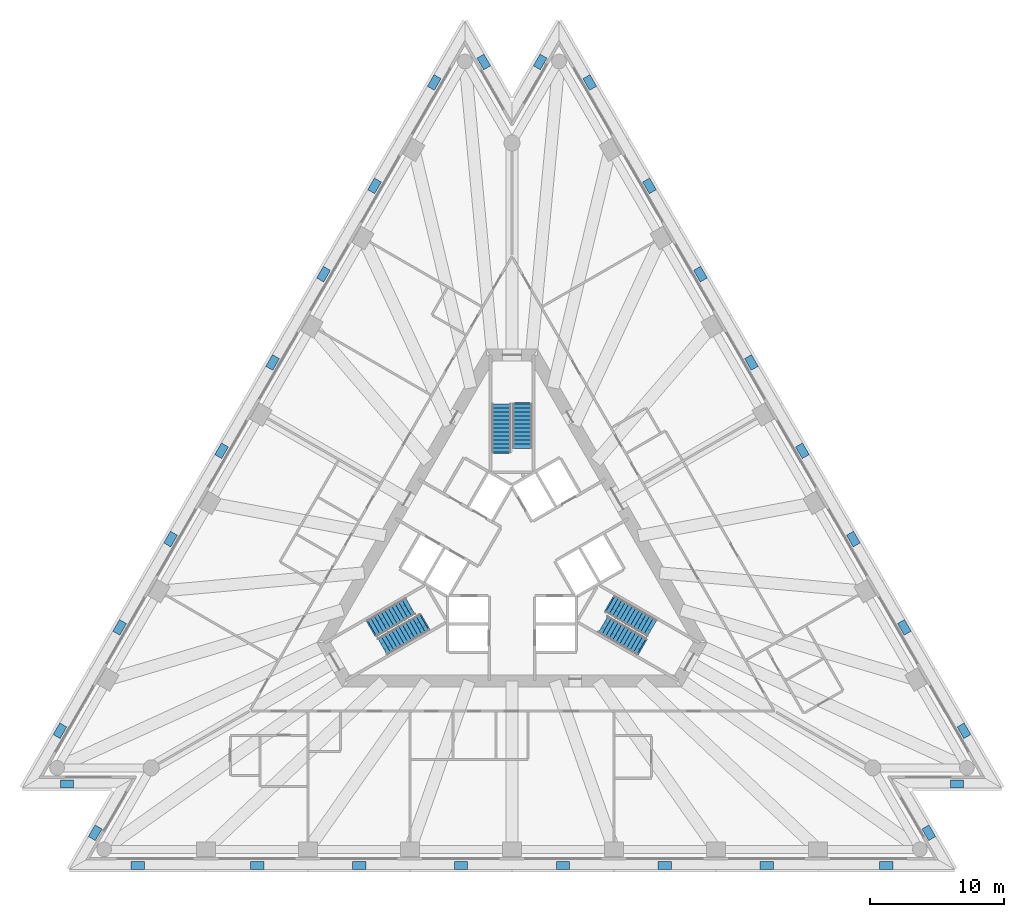
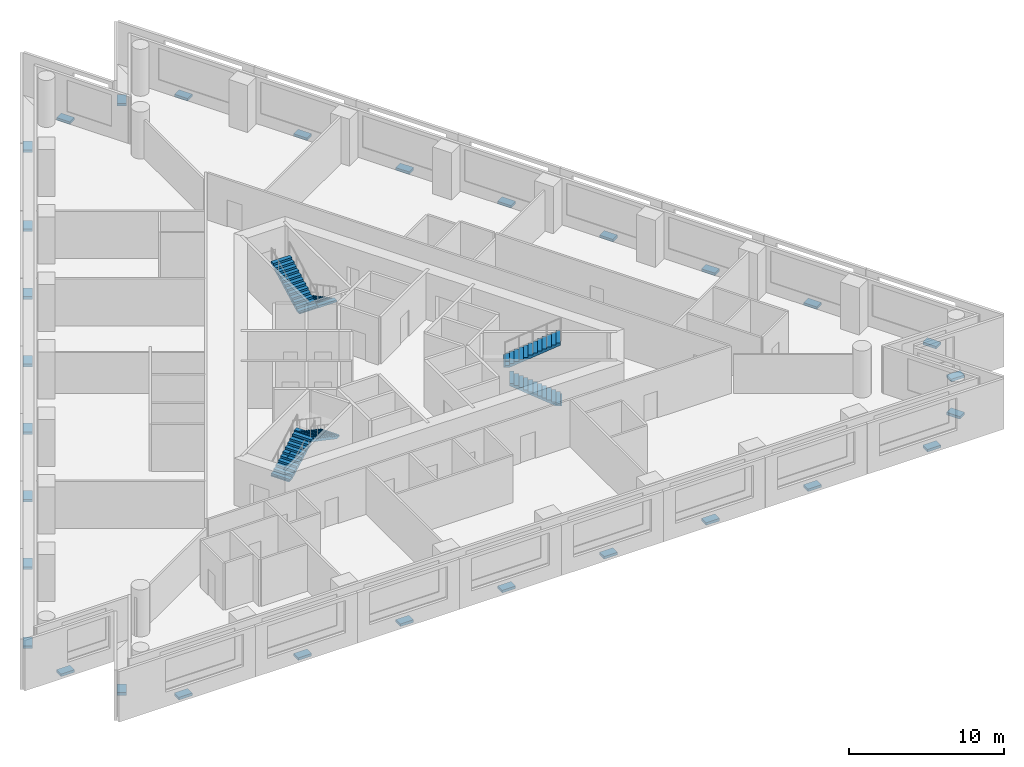
# One storey, part 9 of 11: 30 discrete accessories, 6 stair flights, 3 elements without a shape of their own.
"""IFC4 building model written with IfcOpenShell, lengths in metres."""

from ifc_helpers import new_model, si_unit, direction, frame, origin, origin_2d, place, context, subcontext, project, spatial, polyline, rectangle, outline, extrude, material, type_object, element, aggregate, save


model = new_model("IFC4")

# Units and contexts
model_context = context("Model", 3, precision=1e-05, world=origin(), true_north=direction((0.0, 1.0)))
body_context = subcontext(model_context, "Body", "Model", "MODEL_VIEW")
ifc_project = project(units=[si_unit("LENGTHUNIT", "METRE"), si_unit("AREAUNIT", "SQUARE_METRE"), si_unit("VOLUMEUNIT", "CUBIC_METRE"), si_unit("PLANEANGLEUNIT", "RADIAN"), si_unit("MASSUNIT", "GRAM", prefix="KILO")], contexts=[model_context])

# Site, building, storey
site_placement = place(None, origin())
site = spatial("IfcSite", under=ifc_project, at=site_placement, CompositionType="ELEMENT")
building_placement = place(site_placement, origin())
building = spatial("IfcBuilding", under=site, at=building_placement, Name="Triada Interchange Tower", CompositionType="ELEMENT")
storey_placement = place(building_placement, frame((0.0, 0.0, 43.300048828125)))
storey = spatial("IfcBuildingStorey", under=building, at=storey_placement, Name="L08", CompositionType="ELEMENT", Elevation=43.300048828125)

# Stair, stair flights
ifc_material_1 = material(Name="Concrete C35/45", Category="concrete")
stair_type = type_object("IfcStairType", Name="HALF TURN STAIR 1400", PredefinedType="HALF_TURN_STAIR", material=ifc_material_1)
stair_1_placement = place(storey_placement, origin())
stair_1 = element("IfcStair", 1, at=stair_1_placement, inside=storey, type_object=stair_type, Name="Exit stair S06-1", PredefinedType="HALF_TURN_STAIR")
stair_flight_type = type_object("IfcStairFlightType", Name="STRAIGHT STAIR FLIGHT 1400", PredefinedType="STRAIGHT", material=ifc_material_1)
stair_flight_1_placement = place(storey_placement, frame((0.800048828125, 11.60009765625, 0.0), z_axis=(0.0, 0.0, 1.0), x_axis=(0.0, -1.0, 0.0)))
stair_flight_1 = element("IfcStairFlight", 2, at=stair_flight_1_placement, type_object=stair_flight_type, Name="S06-1 flight 1", NumberOfRisers=12, NumberOfTreads=11, PredefinedType="STRAIGHT", RiserHeight=0.16, TreadLength=0.3, context=body_context, shape_type="SweptSolid", body=[
    extrude(outline(polyline([(-0.10009765625, 0.0), (-0.10009765625, 0.02001953125), (0.0, 0.02001953125), (0.0, 0.159912109375), (0.300048828125, 0.159912109375), (0.300048828125, 0.320068359375), (0.60009765625, 0.320068359375), (0.60009765625, 0.47998046875), (0.89990234375, 0.47998046875), (0.89990234375, 0.639892578125), (1.199951171875, 0.639892578125), (1.199951171875, 0.800048828125), (1.5, 0.800048828125), (1.5, 0.9599609375), (1.800048828125, 0.9599609375), (1.800048828125, 1.1201171875), (2.10009765625, 1.1201171875), (2.10009765625, 1.280029296875), (2.39990234375, 1.280029296875), (2.39990234375, 1.43994140625), (2.699951171875, 1.43994140625), (2.699951171875, 1.60009765625), (3.0, 1.60009765625), (3.0, 1.760009765625), (3.300048828125, 1.760009765625), (3.303955078125, 1.760009765625), (3.303955078125, 1.919921875), (3.303955078125, 1.590087890625), (0.318603515625, 0.0), (-0.10009765625, 0.0)])), frame((0.0, 0.699951171875, 0.0), z_axis=(0.0, -1.0, 0.0), x_axis=(1.0, 0.0, 0.0)), (0.0, 0.0, 1.0), 0.46533203125),
    extrude(outline(polyline([(-0.10009765625, 0.0), (-0.10009765625, 0.02001953125), (0.0, 0.02001953125), (0.0, 0.159912109375), (0.300048828125, 0.159912109375), (0.300048828125, 0.320068359375), (0.60009765625, 0.320068359375), (0.60009765625, 0.47998046875), (0.89990234375, 0.47998046875), (0.89990234375, 0.639892578125), (1.199951171875, 0.639892578125), (1.199951171875, 0.800048828125), (1.5, 0.800048828125), (1.5, 0.9599609375), (1.800048828125, 0.9599609375), (1.800048828125, 1.1201171875), (2.10009765625, 1.1201171875), (2.10009765625, 1.280029296875), (2.39990234375, 1.280029296875), (2.39990234375, 1.43994140625), (2.699951171875, 1.43994140625), (2.699951171875, 1.60009765625), (3.0, 1.60009765625), (3.0, 1.760009765625), (3.300048828125, 1.760009765625), (3.303955078125, 1.760009765625), (3.303955078125, 1.919921875), (3.303955078125, 1.590087890625), (0.318603515625, 0.0), (-0.10009765625, 0.0)])), frame((0.0, 0.232666015625, 0.0), z_axis=(0.0, -1.0, 0.0), x_axis=(1.0, 0.0, 0.0)), (0.0, 0.0, 1.0), 0.46533203125),
    extrude(outline(polyline([(-0.10009765625, 0.0), (-0.10009765625, 0.02001953125), (0.0, 0.02001953125), (0.0, 0.159912109375), (0.300048828125, 0.159912109375), (0.300048828125, 0.320068359375), (0.60009765625, 0.320068359375), (0.60009765625, 0.47998046875), (0.89990234375, 0.47998046875), (0.89990234375, 0.639892578125), (1.199951171875, 0.639892578125), (1.199951171875, 0.800048828125), (1.5, 0.800048828125), (1.5, 0.9599609375), (1.800048828125, 0.9599609375), (1.800048828125, 1.1201171875), (2.10009765625, 1.1201171875), (2.10009765625, 1.280029296875), (2.39990234375, 1.280029296875), (2.39990234375, 1.43994140625), (2.699951171875, 1.43994140625), (2.699951171875, 1.60009765625), (3.0, 1.60009765625), (3.0, 1.760009765625), (3.300048828125, 1.760009765625), (3.303955078125, 1.760009765625), (3.303955078125, 1.919921875), (3.303955078125, 1.590087890625), (0.318603515625, 0.0), (-0.10009765625, 0.0)])), frame((0.0, -0.234619140625, 0.0), z_axis=(0.0, -1.0, 0.0), x_axis=(1.0, 0.0, 0.0)), (0.0, 0.0, 1.0), 0.46533203125),
])
stair_flight_2_placement = place(storey_placement, frame((-0.800048828125, 8.0, 1.919921875), z_axis=(0.0, 0.0, 1.0), x_axis=(0.0, 1.0, 0.0)))
stair_flight_2 = element("IfcStairFlight", 3, at=stair_flight_2_placement, type_object=stair_flight_type, Name="S06-1 flight 2", NumberOfRisers=13, NumberOfTreads=12, PredefinedType="STRAIGHT", RiserHeight=0.16, TreadLength=0.3, context=body_context, shape_type="SweptSolid", body=[
    extrude(outline(polyline([(-0.10009765625, 0.0), (-0.10009765625, 0.02001953125), (0.0, 0.02001953125), (0.0, 0.159912109375), (0.300048828125, 0.159912109375), (0.300048828125, 0.320068359375), (0.60009765625, 0.320068359375), (0.60009765625, 0.47998046875), (0.89990234375, 0.47998046875), (0.89990234375, 0.639892578125), (1.199951171875, 0.639892578125), (1.199951171875, 0.800048828125), (1.5, 0.800048828125), (1.5, 0.9599609375), (1.800048828125, 0.9599609375), (1.800048828125, 1.1201171875), (2.10009765625, 1.1201171875), (2.10009765625, 1.280029296875), (2.39990234375, 1.280029296875), (2.39990234375, 1.43994140625), (2.699951171875, 1.43994140625), (2.699951171875, 1.60009765625), (3.0, 1.60009765625), (3.0, 1.760009765625), (3.300048828125, 1.760009765625), (3.300048828125, 1.919921875), (3.60009765625, 1.919921875), (3.60400390625, 1.919921875), (3.60400390625, 2.080078125), (3.60400390625, 1.75), (0.318603515625, 0.0), (-0.10009765625, 0.0)])), frame((0.0, 0.699951171875, 0.0), z_axis=(0.0, -1.0, 0.0), x_axis=(1.0, 0.0, 0.0)), (0.0, 0.0, 1.0), 0.46533203125),
    extrude(outline(polyline([(-0.10009765625, 0.0), (-0.10009765625, 0.02001953125), (0.0, 0.02001953125), (0.0, 0.159912109375), (0.300048828125, 0.159912109375), (0.300048828125, 0.320068359375), (0.60009765625, 0.320068359375), (0.60009765625, 0.47998046875), (0.89990234375, 0.47998046875), (0.89990234375, 0.639892578125), (1.199951171875, 0.639892578125), (1.199951171875, 0.800048828125), (1.5, 0.800048828125), (1.5, 0.9599609375), (1.800048828125, 0.9599609375), (1.800048828125, 1.1201171875), (2.10009765625, 1.1201171875), (2.10009765625, 1.280029296875), (2.39990234375, 1.280029296875), (2.39990234375, 1.43994140625), (2.699951171875, 1.43994140625), (2.699951171875, 1.60009765625), (3.0, 1.60009765625), (3.0, 1.760009765625), (3.300048828125, 1.760009765625), (3.300048828125, 1.919921875), (3.60009765625, 1.919921875), (3.60400390625, 1.919921875), (3.60400390625, 2.080078125), (3.60400390625, 1.75), (0.318603515625, 0.0), (-0.10009765625, 0.0)])), frame((0.0, 0.232666015625, 0.0), z_axis=(0.0, -1.0, 0.0), x_axis=(1.0, 0.0, 0.0)), (0.0, 0.0, 1.0), 0.46533203125),
    extrude(outline(polyline([(-0.10009765625, 0.0), (-0.10009765625, 0.02001953125), (0.0, 0.02001953125), (0.0, 0.159912109375), (0.300048828125, 0.159912109375), (0.300048828125, 0.320068359375), (0.60009765625, 0.320068359375), (0.60009765625, 0.47998046875), (0.89990234375, 0.47998046875), (0.89990234375, 0.639892578125), (1.199951171875, 0.639892578125), (1.199951171875, 0.800048828125), (1.5, 0.800048828125), (1.5, 0.9599609375), (1.800048828125, 0.9599609375), (1.800048828125, 1.1201171875), (2.10009765625, 1.1201171875), (2.10009765625, 1.280029296875), (2.39990234375, 1.280029296875), (2.39990234375, 1.43994140625), (2.699951171875, 1.43994140625), (2.699951171875, 1.60009765625), (3.0, 1.60009765625), (3.0, 1.760009765625), (3.300048828125, 1.760009765625), (3.300048828125, 1.919921875), (3.60009765625, 1.919921875), (3.60400390625, 1.919921875), (3.60400390625, 2.080078125), (3.60400390625, 1.75), (0.318603515625, 0.0), (-0.10009765625, 0.0)])), frame((0.0, -0.234619140625, 0.0), z_axis=(0.0, -1.0, 0.0), x_axis=(1.0, 0.0, 0.0)), (0.0, 0.0, 1.0), 0.46533203125),
])
aggregate(stair_1, [stair_flight_1, stair_flight_2])

stair_2_placement = place(storey_placement, origin())
stair_2 = element("IfcStair", 4, at=stair_2_placement, inside=storey, type_object=stair_type, Name="Exit stair S06-2", PredefinedType="HALF_TURN_STAIR")
stair_flight_3_placement = place(storey_placement, frame((-10.446044921875, -5.10693359375, 0.0), z_axis=(0.0, 0.0, 1.0), x_axis=(0.866025403784, 0.5, 0.0)))
stair_flight_3 = element("IfcStairFlight", 5, at=stair_flight_3_placement, type_object=stair_flight_type, Name="S06-2 flight 1", NumberOfRisers=12, NumberOfTreads=11, PredefinedType="STRAIGHT", RiserHeight=0.16, TreadLength=0.3, context=body_context, shape_type="SweptSolid", body=[
    extrude(outline(polyline([(-0.10009765625, 0.0), (-0.10009765625, 0.02001953125), (0.0, 0.02001953125), (0.0, 0.159912109375), (0.300048828125, 0.159912109375), (0.300048828125, 0.320068359375), (0.60009765625, 0.320068359375), (0.60009765625, 0.47998046875), (0.89990234375, 0.47998046875), (0.89990234375, 0.639892578125), (1.199951171875, 0.639892578125), (1.199951171875, 0.800048828125), (1.5, 0.800048828125), (1.5, 0.9599609375), (1.800048828125, 0.9599609375), (1.800048828125, 1.1201171875), (2.10009765625, 1.1201171875), (2.10009765625, 1.280029296875), (2.39990234375, 1.280029296875), (2.39990234375, 1.43994140625), (2.699951171875, 1.43994140625), (2.699951171875, 1.60009765625), (3.0, 1.60009765625), (3.0, 1.760009765625), (3.300048828125, 1.760009765625), (3.303955078125, 1.760009765625), (3.303955078125, 1.919921875), (3.303955078125, 1.590087890625), (0.318603515625, 0.0), (-0.10009765625, 0.0)])), frame((0.0, 0.699951171875, 0.0), z_axis=(0.0, -1.0, 0.0), x_axis=(1.0, 0.0, 0.0)), (0.0, 0.0, 1.0), 0.46533203125),
    extrude(outline(polyline([(-0.10009765625, 0.0), (-0.10009765625, 0.02001953125), (0.0, 0.02001953125), (0.0, 0.159912109375), (0.300048828125, 0.159912109375), (0.300048828125, 0.320068359375), (0.60009765625, 0.320068359375), (0.60009765625, 0.47998046875), (0.89990234375, 0.47998046875), (0.89990234375, 0.639892578125), (1.199951171875, 0.639892578125), (1.199951171875, 0.800048828125), (1.5, 0.800048828125), (1.5, 0.9599609375), (1.800048828125, 0.9599609375), (1.800048828125, 1.1201171875), (2.10009765625, 1.1201171875), (2.10009765625, 1.280029296875), (2.39990234375, 1.280029296875), (2.39990234375, 1.43994140625), (2.699951171875, 1.43994140625), (2.699951171875, 1.60009765625), (3.0, 1.60009765625), (3.0, 1.760009765625), (3.300048828125, 1.760009765625), (3.303955078125, 1.760009765625), (3.303955078125, 1.919921875), (3.303955078125, 1.590087890625), (0.318603515625, 0.0), (-0.10009765625, 0.0)])), frame((0.0, 0.232666015625, 0.0), z_axis=(0.0, -1.0, 0.0), x_axis=(1.0, 0.0, 0.0)), (0.0, 0.0, 1.0), 0.46533203125),
    extrude(outline(polyline([(-0.10009765625, 0.0), (-0.10009765625, 0.02001953125), (0.0, 0.02001953125), (0.0, 0.159912109375), (0.300048828125, 0.159912109375), (0.300048828125, 0.320068359375), (0.60009765625, 0.320068359375), (0.60009765625, 0.47998046875), (0.89990234375, 0.47998046875), (0.89990234375, 0.639892578125), (1.199951171875, 0.639892578125), (1.199951171875, 0.800048828125), (1.5, 0.800048828125), (1.5, 0.9599609375), (1.800048828125, 0.9599609375), (1.800048828125, 1.1201171875), (2.10009765625, 1.1201171875), (2.10009765625, 1.280029296875), (2.39990234375, 1.280029296875), (2.39990234375, 1.43994140625), (2.699951171875, 1.43994140625), (2.699951171875, 1.60009765625), (3.0, 1.60009765625), (3.0, 1.760009765625), (3.300048828125, 1.760009765625), (3.303955078125, 1.760009765625), (3.303955078125, 1.919921875), (3.303955078125, 1.590087890625), (0.318603515625, 0.0), (-0.10009765625, 0.0)])), frame((0.0, -0.234619140625, 0.0), z_axis=(0.0, -1.0, 0.0), x_axis=(1.0, 0.0, 0.0)), (0.0, 0.0, 1.0), 0.46533203125),
])
stair_flight_4_placement = place(storey_placement, frame((-6.528076171875, -4.693115234375, 1.919921875), z_axis=(0.0, 0.0, 1.0), x_axis=(-0.866025403784, -0.5, 0.0)))
stair_flight_4 = element("IfcStairFlight", 6, at=stair_flight_4_placement, type_object=stair_flight_type, Name="S06-2 flight 2", NumberOfRisers=13, NumberOfTreads=12, PredefinedType="STRAIGHT", RiserHeight=0.16, TreadLength=0.3, context=body_context, shape_type="SweptSolid", body=[
    extrude(outline(polyline([(-0.10009765625, 0.0), (-0.10009765625, 0.02001953125), (0.0, 0.02001953125), (0.0, 0.159912109375), (0.300048828125, 0.159912109375), (0.300048828125, 0.320068359375), (0.60009765625, 0.320068359375), (0.60009765625, 0.47998046875), (0.89990234375, 0.47998046875), (0.89990234375, 0.639892578125), (1.199951171875, 0.639892578125), (1.199951171875, 0.800048828125), (1.5, 0.800048828125), (1.5, 0.9599609375), (1.800048828125, 0.9599609375), (1.800048828125, 1.1201171875), (2.10009765625, 1.1201171875), (2.10009765625, 1.280029296875), (2.39990234375, 1.280029296875), (2.39990234375, 1.43994140625), (2.699951171875, 1.43994140625), (2.699951171875, 1.60009765625), (3.0, 1.60009765625), (3.0, 1.760009765625), (3.300048828125, 1.760009765625), (3.300048828125, 1.919921875), (3.60009765625, 1.919921875), (3.60400390625, 1.919921875), (3.60400390625, 2.080078125), (3.60400390625, 1.75), (0.318603515625, 0.0), (-0.10009765625, 0.0)])), frame((0.0, 0.699951171875, 0.0), z_axis=(0.0, -1.0, 0.0), x_axis=(1.0, 0.0, 0.0)), (0.0, 0.0, 1.0), 0.46533203125),
    extrude(outline(polyline([(-0.10009765625, 0.0), (-0.10009765625, 0.02001953125), (0.0, 0.02001953125), (0.0, 0.159912109375), (0.300048828125, 0.159912109375), (0.300048828125, 0.320068359375), (0.60009765625, 0.320068359375), (0.60009765625, 0.47998046875), (0.89990234375, 0.47998046875), (0.89990234375, 0.639892578125), (1.199951171875, 0.639892578125), (1.199951171875, 0.800048828125), (1.5, 0.800048828125), (1.5, 0.9599609375), (1.800048828125, 0.9599609375), (1.800048828125, 1.1201171875), (2.10009765625, 1.1201171875), (2.10009765625, 1.280029296875), (2.39990234375, 1.280029296875), (2.39990234375, 1.43994140625), (2.699951171875, 1.43994140625), (2.699951171875, 1.60009765625), (3.0, 1.60009765625), (3.0, 1.760009765625), (3.300048828125, 1.760009765625), (3.300048828125, 1.919921875), (3.60009765625, 1.919921875), (3.60400390625, 1.919921875), (3.60400390625, 2.080078125), (3.60400390625, 1.75), (0.318603515625, 0.0), (-0.10009765625, 0.0)])), frame((0.0, 0.232666015625, 0.0), z_axis=(0.0, -1.0, 0.0), x_axis=(1.0, 0.0, 0.0)), (0.0, 0.0, 1.0), 0.46533203125),
    extrude(outline(polyline([(-0.10009765625, 0.0), (-0.10009765625, 0.02001953125), (0.0, 0.02001953125), (0.0, 0.159912109375), (0.300048828125, 0.159912109375), (0.300048828125, 0.320068359375), (0.60009765625, 0.320068359375), (0.60009765625, 0.47998046875), (0.89990234375, 0.47998046875), (0.89990234375, 0.639892578125), (1.199951171875, 0.639892578125), (1.199951171875, 0.800048828125), (1.5, 0.800048828125), (1.5, 0.9599609375), (1.800048828125, 0.9599609375), (1.800048828125, 1.1201171875), (2.10009765625, 1.1201171875), (2.10009765625, 1.280029296875), (2.39990234375, 1.280029296875), (2.39990234375, 1.43994140625), (2.699951171875, 1.43994140625), (2.699951171875, 1.60009765625), (3.0, 1.60009765625), (3.0, 1.760009765625), (3.300048828125, 1.760009765625), (3.300048828125, 1.919921875), (3.60009765625, 1.919921875), (3.60400390625, 1.919921875), (3.60400390625, 2.080078125), (3.60400390625, 1.75), (0.318603515625, 0.0), (-0.10009765625, 0.0)])), frame((0.0, -0.234619140625, 0.0), z_axis=(0.0, -1.0, 0.0), x_axis=(1.0, 0.0, 0.0)), (0.0, 0.0, 1.0), 0.46533203125),
])
aggregate(stair_2, [stair_flight_3, stair_flight_4])

stair_3_placement = place(storey_placement, origin())
stair_3 = element("IfcStair", 7, at=stair_3_placement, inside=storey, type_object=stair_type, Name="Exit stair S06-3", PredefinedType="HALF_TURN_STAIR")
stair_flight_5_placement = place(storey_placement, frame((9.64599609375, -6.492919921875, 0.0), z_axis=(0.0, 0.0, 1.0), x_axis=(-0.866025403784, 0.5, 0.0)))
stair_flight_5 = element("IfcStairFlight", 8, at=stair_flight_5_placement, type_object=stair_flight_type, Name="S06-3 flight 1", NumberOfRisers=12, NumberOfTreads=11, PredefinedType="STRAIGHT", RiserHeight=0.16, TreadLength=0.3, context=body_context, shape_type="SweptSolid", body=[
    extrude(outline(polyline([(-0.10009765625, 0.0), (-0.10009765625, 0.02001953125), (0.0, 0.02001953125), (0.0, 0.159912109375), (0.300048828125, 0.159912109375), (0.300048828125, 0.320068359375), (0.60009765625, 0.320068359375), (0.60009765625, 0.47998046875), (0.89990234375, 0.47998046875), (0.89990234375, 0.639892578125), (1.199951171875, 0.639892578125), (1.199951171875, 0.800048828125), (1.5, 0.800048828125), (1.5, 0.9599609375), (1.800048828125, 0.9599609375), (1.800048828125, 1.1201171875), (2.10009765625, 1.1201171875), (2.10009765625, 1.280029296875), (2.39990234375, 1.280029296875), (2.39990234375, 1.43994140625), (2.699951171875, 1.43994140625), (2.699951171875, 1.60009765625), (3.0, 1.60009765625), (3.0, 1.760009765625), (3.300048828125, 1.760009765625), (3.303955078125, 1.760009765625), (3.303955078125, 1.919921875), (3.303955078125, 1.590087890625), (0.318603515625, 0.0), (-0.10009765625, 0.0)])), frame((0.0, 0.699951171875, 0.0), z_axis=(0.0, -1.0, 0.0), x_axis=(1.0, 0.0, 0.0)), (0.0, 0.0, 1.0), 0.46533203125),
    extrude(outline(polyline([(-0.10009765625, 0.0), (-0.10009765625, 0.02001953125), (0.0, 0.02001953125), (0.0, 0.159912109375), (0.300048828125, 0.159912109375), (0.300048828125, 0.320068359375), (0.60009765625, 0.320068359375), (0.60009765625, 0.47998046875), (0.89990234375, 0.47998046875), (0.89990234375, 0.639892578125), (1.199951171875, 0.639892578125), (1.199951171875, 0.800048828125), (1.5, 0.800048828125), (1.5, 0.9599609375), (1.800048828125, 0.9599609375), (1.800048828125, 1.1201171875), (2.10009765625, 1.1201171875), (2.10009765625, 1.280029296875), (2.39990234375, 1.280029296875), (2.39990234375, 1.43994140625), (2.699951171875, 1.43994140625), (2.699951171875, 1.60009765625), (3.0, 1.60009765625), (3.0, 1.760009765625), (3.300048828125, 1.760009765625), (3.303955078125, 1.760009765625), (3.303955078125, 1.919921875), (3.303955078125, 1.590087890625), (0.318603515625, 0.0), (-0.10009765625, 0.0)])), frame((0.0, 0.232666015625, 0.0), z_axis=(0.0, -1.0, 0.0), x_axis=(1.0, 0.0, 0.0)), (0.0, 0.0, 1.0), 0.46533203125),
    extrude(outline(polyline([(-0.10009765625, 0.0), (-0.10009765625, 0.02001953125), (0.0, 0.02001953125), (0.0, 0.159912109375), (0.300048828125, 0.159912109375), (0.300048828125, 0.320068359375), (0.60009765625, 0.320068359375), (0.60009765625, 0.47998046875), (0.89990234375, 0.47998046875), (0.89990234375, 0.639892578125), (1.199951171875, 0.639892578125), (1.199951171875, 0.800048828125), (1.5, 0.800048828125), (1.5, 0.9599609375), (1.800048828125, 0.9599609375), (1.800048828125, 1.1201171875), (2.10009765625, 1.1201171875), (2.10009765625, 1.280029296875), (2.39990234375, 1.280029296875), (2.39990234375, 1.43994140625), (2.699951171875, 1.43994140625), (2.699951171875, 1.60009765625), (3.0, 1.60009765625), (3.0, 1.760009765625), (3.300048828125, 1.760009765625), (3.303955078125, 1.760009765625), (3.303955078125, 1.919921875), (3.303955078125, 1.590087890625), (0.318603515625, 0.0), (-0.10009765625, 0.0)])), frame((0.0, -0.234619140625, 0.0), z_axis=(0.0, -1.0, 0.0), x_axis=(1.0, 0.0, 0.0)), (0.0, 0.0, 1.0), 0.46533203125),
])
stair_flight_6_placement = place(storey_placement, frame((7.327880859375, -3.306884765625, 1.919921875), z_axis=(0.0, 0.0, 1.0), x_axis=(0.866025403784, -0.5, 0.0)))
stair_flight_6 = element("IfcStairFlight", 9, at=stair_flight_6_placement, type_object=stair_flight_type, Name="S06-3 flight 2", NumberOfRisers=13, NumberOfTreads=12, PredefinedType="STRAIGHT", RiserHeight=0.16, TreadLength=0.3, context=body_context, shape_type="SweptSolid", body=[
    extrude(outline(polyline([(-0.10009765625, 0.0), (-0.10009765625, 0.02001953125), (0.0, 0.02001953125), (0.0, 0.159912109375), (0.300048828125, 0.159912109375), (0.300048828125, 0.320068359375), (0.60009765625, 0.320068359375), (0.60009765625, 0.47998046875), (0.89990234375, 0.47998046875), (0.89990234375, 0.639892578125), (1.199951171875, 0.639892578125), (1.199951171875, 0.800048828125), (1.5, 0.800048828125), (1.5, 0.9599609375), (1.800048828125, 0.9599609375), (1.800048828125, 1.1201171875), (2.10009765625, 1.1201171875), (2.10009765625, 1.280029296875), (2.39990234375, 1.280029296875), (2.39990234375, 1.43994140625), (2.699951171875, 1.43994140625), (2.699951171875, 1.60009765625), (3.0, 1.60009765625), (3.0, 1.760009765625), (3.300048828125, 1.760009765625), (3.300048828125, 1.919921875), (3.60009765625, 1.919921875), (3.60400390625, 1.919921875), (3.60400390625, 2.080078125), (3.60400390625, 1.75), (0.318603515625, 0.0), (-0.10009765625, 0.0)])), frame((0.0, 0.699951171875, 0.0), z_axis=(0.0, -1.0, 0.0), x_axis=(1.0, 0.0, 0.0)), (0.0, 0.0, 1.0), 0.46533203125),
    extrude(outline(polyline([(-0.10009765625, 0.0), (-0.10009765625, 0.02001953125), (0.0, 0.02001953125), (0.0, 0.159912109375), (0.300048828125, 0.159912109375), (0.300048828125, 0.320068359375), (0.60009765625, 0.320068359375), (0.60009765625, 0.47998046875), (0.89990234375, 0.47998046875), (0.89990234375, 0.639892578125), (1.199951171875, 0.639892578125), (1.199951171875, 0.800048828125), (1.5, 0.800048828125), (1.5, 0.9599609375), (1.800048828125, 0.9599609375), (1.800048828125, 1.1201171875), (2.10009765625, 1.1201171875), (2.10009765625, 1.280029296875), (2.39990234375, 1.280029296875), (2.39990234375, 1.43994140625), (2.699951171875, 1.43994140625), (2.699951171875, 1.60009765625), (3.0, 1.60009765625), (3.0, 1.760009765625), (3.300048828125, 1.760009765625), (3.300048828125, 1.919921875), (3.60009765625, 1.919921875), (3.60400390625, 1.919921875), (3.60400390625, 2.080078125), (3.60400390625, 1.75), (0.318603515625, 0.0), (-0.10009765625, 0.0)])), frame((0.0, 0.232666015625, 0.0), z_axis=(0.0, -1.0, 0.0), x_axis=(1.0, 0.0, 0.0)), (0.0, 0.0, 1.0), 0.46533203125),
    extrude(outline(polyline([(-0.10009765625, 0.0), (-0.10009765625, 0.02001953125), (0.0, 0.02001953125), (0.0, 0.159912109375), (0.300048828125, 0.159912109375), (0.300048828125, 0.320068359375), (0.60009765625, 0.320068359375), (0.60009765625, 0.47998046875), (0.89990234375, 0.47998046875), (0.89990234375, 0.639892578125), (1.199951171875, 0.639892578125), (1.199951171875, 0.800048828125), (1.5, 0.800048828125), (1.5, 0.9599609375), (1.800048828125, 0.9599609375), (1.800048828125, 1.1201171875), (2.10009765625, 1.1201171875), (2.10009765625, 1.280029296875), (2.39990234375, 1.280029296875), (2.39990234375, 1.43994140625), (2.699951171875, 1.43994140625), (2.699951171875, 1.60009765625), (3.0, 1.60009765625), (3.0, 1.760009765625), (3.300048828125, 1.760009765625), (3.300048828125, 1.919921875), (3.60009765625, 1.919921875), (3.60400390625, 1.919921875), (3.60400390625, 2.080078125), (3.60400390625, 1.75), (0.318603515625, 0.0), (-0.10009765625, 0.0)])), frame((0.0, -0.234619140625, 0.0), z_axis=(0.0, -1.0, 0.0), x_axis=(1.0, 0.0, 0.0)), (0.0, 0.0, 1.0), 0.46533203125),
])
aggregate(stair_3, [stair_flight_5, stair_flight_6])

# Discrete accessories
ifc_material_2 = material(Name="Steel S355", Category="steel")
discrete_accessory_type = type_object("IfcDiscreteAccessoryType", Name="Steel bracket outer skin", PredefinedType="BRACKET", material=ifc_material_2)
for number, where, z_axis, x_axis, name in (
    (10, (-5.797119140625, 35.55908203125, -0.27001953125), (0.0, 0.0, 1.0), (-0.866020918253, 0.500007769087, 0.0), "Bracket L08 01"),
    (11, (-10.24609375, 27.85302734375, -0.27001953125), (0.0, 0.0, 1.0), (-0.866020918253, 0.500007769087, 0.0), "Bracket L08 02"),
    (12, (-14.0458984375, 21.27197265625, -0.27001953125), (0.0, 0.0, 1.0), (-0.866020918253, 0.500007769087, 0.0), "Bracket L08 03"),
    (13, (-17.844970703125, 14.69091796875, -0.27001953125), (0.0, 0.0, 1.0), (-0.866020918253, 0.500007769087, 0.0), "Bracket L08 04"),
    (14, (-21.64501953125, 8.10888671875, -0.27001953125), (0.0, 0.0, 1.0), (-0.866020918253, 0.500007769087, 0.0), "Bracket L08 05"),
    (15, (-25.445068359375, 1.528076171875, -0.27001953125), (0.0, 0.0, 1.0), (-0.866020918253, 0.500007769087, 0.0), "Bracket L08 06"),
    (16, (-29.2451171875, -5.052978515625, -0.27001953125), (0.0, 0.0, 1.0), (-0.866020918253, 0.500007769087, 0.0), "Bracket L08 07"),
    (17, (-33.694091796875, -12.759033203125, -0.27001953125), (0.0, 0.0, 1.0), (-0.866020918253, 0.500007769087, 0.0), "Bracket L08 08"),
    (18, (-33.1689453125, -16.72509765625, -0.27001953125), (0.0, 0.0, 1.0), (0.0, -1.0, 0.0), "Bracket L08 09"),
    (19, (-31.068115234375, -20.363037109375, -0.27001953125), (0.0, 0.0, 1.0), (-0.866050273655, 0.499956921647, 0.0), "Bracket L08 10"),
    (20, (-27.89599609375, -22.800048828125, -0.27001953125), (0.0, 0.0, 1.0), (0.0, -1.0, 0.0), "Bracket L08 11"),
    (21, (-18.998046875, -22.800048828125, -0.27001953125), (0.0, 0.0, 1.0), (0.0, -1.0, 0.0), "Bracket L08 12"),
    (22, (-11.39892578125, -22.800048828125, -0.27001953125), (0.0, 0.0, 1.0), (0.0, -1.0, 0.0), "Bracket L08 13"),
    (23, (-3.800048828125, -22.800048828125, -0.27001953125), (0.0, 0.0, 1.0), (0.0, -1.0, 0.0), "Bracket L08 14"),
    (24, (3.800048828125, -22.800048828125, -0.27001953125), (0.0, 0.0, 1.0), (0.0, -1.0, 0.0), "Bracket L08 15"),
    (25, (11.39892578125, -22.800048828125, -0.27001953125), (0.0, 0.0, 1.0), (0.0, -1.0, 0.0), "Bracket L08 16"),
    (26, (18.998046875, -22.800048828125, -0.27001953125), (0.0, 0.0, 1.0), (0.0, -1.0, 0.0), "Bracket L08 17"),
    (27, (27.89599609375, -22.800048828125, -0.27001953125), (0.0, 0.0, 1.0), (0.0, -1.0, 0.0), "Bracket L08 18"),
    (28, (31.068115234375, -20.363037109375, -0.27001953125), (0.0, 0.0, 1.0), (0.866050273655, 0.499956921647, 0.0), "Bracket L08 19"),
    (29, (33.1689453125, -16.72509765625, -0.27001953125), (0.0, 0.0, 1.0), (0.0, -1.0, 0.0), "Bracket L08 20"),
    (30, (33.694091796875, -12.759033203125, -0.27001953125), (0.0, 0.0, 1.0), (0.866020918253, 0.500007769087, 0.0), "Bracket L08 21"),
    (31, (29.2451171875, -5.052978515625, -0.27001953125), (0.0, 0.0, 1.0), (0.866020918253, 0.500007769087, 0.0), "Bracket L08 22"),
    (32, (25.445068359375, 1.528076171875, -0.27001953125), (0.0, 0.0, 1.0), (0.866020918253, 0.500007769087, 0.0), "Bracket L08 23"),
    (33, (21.64501953125, 8.10888671875, -0.27001953125), (0.0, 0.0, 1.0), (0.866020918253, 0.500007769087, 0.0), "Bracket L08 24"),
    (34, (17.844970703125, 14.69091796875, -0.27001953125), (0.0, 0.0, 1.0), (0.866020918253, 0.500007769087, 0.0), "Bracket L08 25"),
    (35, (14.0458984375, 21.27197265625, -0.27001953125), (0.0, 0.0, 1.0), (0.866020918253, 0.500007769087, 0.0), "Bracket L08 26"),
    (36, (10.24609375, 27.85302734375, -0.27001953125), (0.0, 0.0, 1.0), (0.866020918253, 0.500007769087, 0.0), "Bracket L08 27"),
    (37, (5.797119140625, 35.55908203125, -0.27001953125), (0.0, 0.0, 1.0), (0.866020918253, 0.500007769087, 0.0), "Bracket L08 28"),
    (38, (2.10009765625, 37.087890625, -0.27001953125), (0.0, 0.0, 1.0), (-0.866050273655, 0.499956921647, 0.0), "Bracket L08 29"),
    (39, (-2.10009765625, 37.087890625, -0.27001953125), (0.0, 0.0, 1.0), (0.866050273655, 0.499956921647, 0.0), "Bracket L08 30"),
):
    element("IfcDiscreteAccessory", number, at=place(storey_placement, frame(where, z_axis=z_axis, x_axis=x_axis)), inside=storey, type_object=discrete_accessory_type, Name=name, PredefinedType="BRACKET", context=body_context, shape_type="SweptSolid", body=[
        extrude(rectangle(XDim=0.60009765625, YDim=1.0, at=origin_2d()), origin(), (0.0, 0.0, 1.0), 0.199951171875),
    ])

save(model, "model.ifc")
